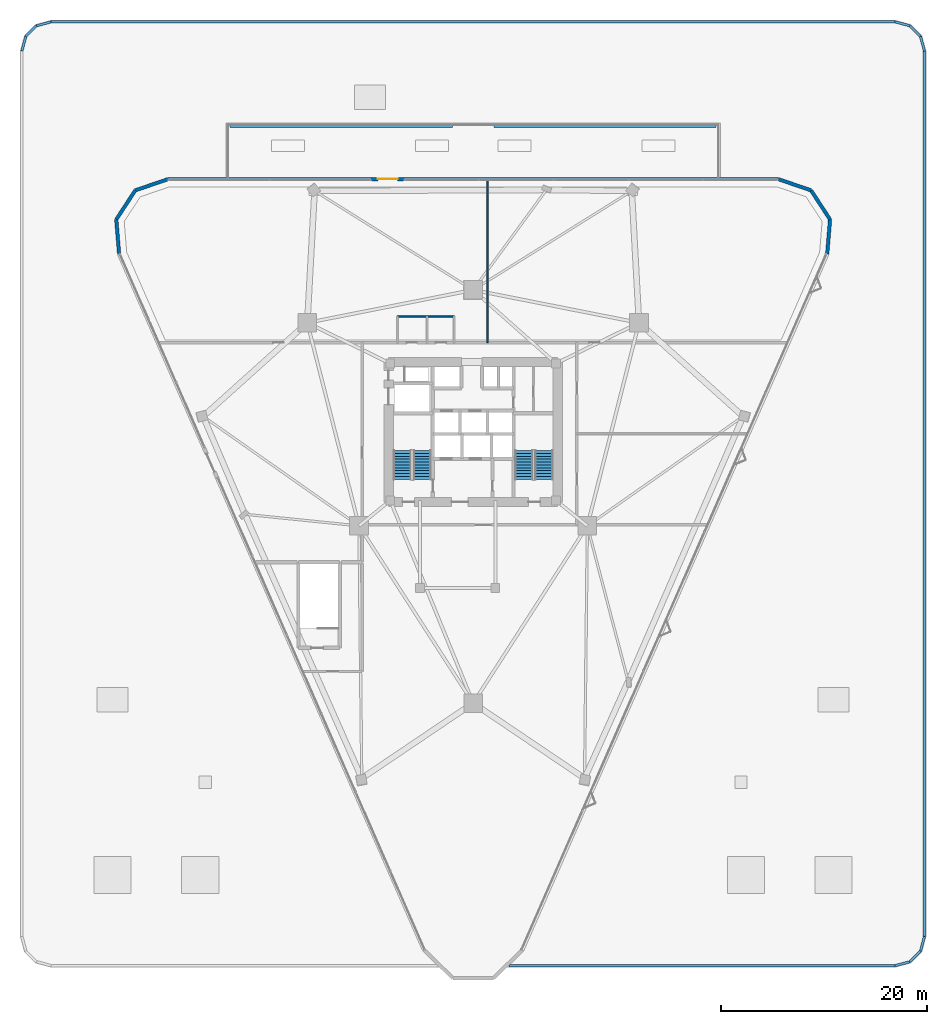
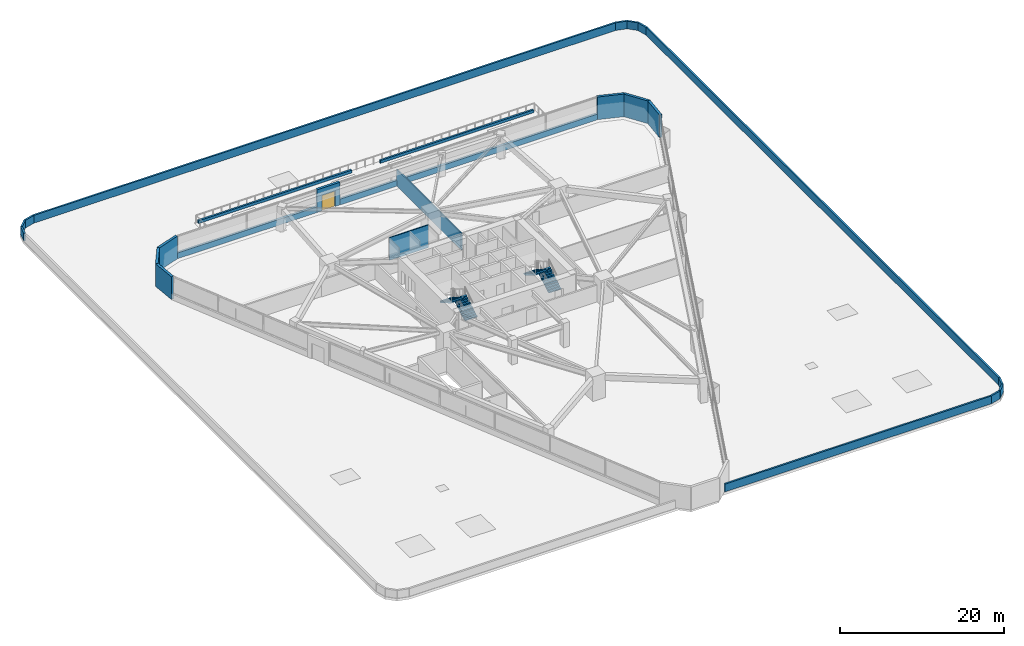
# One storey, part 19 of 21: 25 walls, 4 stair flights, 1 door, 1 opening, 2 elements without a shape of their own.
"""IFC4 building model written with IfcOpenShell, lengths in metres."""

from ifc_helpers import new_model, si_unit, direction, frame, frame_2d, origin, place, context, subcontext, project, spatial, polyline, rectangle, outline, extrude, material, layer, layer_set, type_object, element, fill, aggregate, save


model = new_model("IFC4")

# Units and contexts
model_context = context("Model", 3, precision=1e-05, world=origin(), true_north=direction((0.0, 1.0)))
body_context = subcontext(model_context, "Body", "Model", "MODEL_VIEW")
ifc_project = project(units=[si_unit("LENGTHUNIT", "METRE"), si_unit("AREAUNIT", "SQUARE_METRE"), si_unit("VOLUMEUNIT", "CUBIC_METRE"), si_unit("PLANEANGLEUNIT", "RADIAN"), si_unit("MASSUNIT", "GRAM", prefix="KILO")], contexts=[model_context])

# Site, building, storey
site_placement = place(None, origin())
site = spatial("IfcSite", under=ifc_project, at=site_placement, CompositionType="ELEMENT")
building_placement = place(site_placement, origin())
building = spatial("IfcBuilding", under=site, at=building_placement, Name="Talyreon Biosciences Tower", CompositionType="ELEMENT")
storey_placement = place(building_placement, frame((0.0, 0.0, 22.800048828125)))
storey = spatial("IfcBuildingStorey", under=building, at=storey_placement, Name="L05", CompositionType="ELEMENT", Elevation=22.800048828125)

# Walls
ifc_material_1 = material(Name="Precast concrete C45/55", Category="concrete")
ifc_layer_1 = layer(ifc_material_1, 0.239990234375)
ifc_layer_set_1 = layer_set([ifc_layer_1], Name="Precast concrete C45/55")
wall_type_1 = type_object("IfcWallType", Name="CrownParapet_240", PredefinedType="PARAPET", material=ifc_layer_set_1)
wall_1_placement = place(storey_placement, frame((22.179931640625, 104.976318359375, 0.0), z_axis=(0.0, 0.0, 1.0), x_axis=(0.258832224415, 0.965922294807, 0.0)))
element("IfcWall", 1, at=wall_1_placement, inside=storey, type_object=wall_type_1, Name="L05 Podium Skylight Roof Parapet 06", PredefinedType="PARAPET", context=body_context, shape_type="SweptSolid", body=[
    extrude(rectangle(XDim=1.48095703125, YDim=0.239990234375, at=frame_2d((0.740478515625, 0.0))), origin(), (0.0, 0.0, 1.0), 1.14990234375),
])
wall_2_placement = place(storey_placement, frame((22.563232421875, 106.40673828125, 0.0), z_axis=(0.0, 0.0, 1.0), x_axis=(0.707106781187, 0.707106781187, 0.0)))
element("IfcWall", 2, at=wall_2_placement, inside=storey, type_object=wall_type_1, Name="L05 Podium Skylight Roof Parapet 07", PredefinedType="PARAPET", context=body_context, shape_type="SweptSolid", body=[
    extrude(rectangle(XDim=1.456787109375, YDim=0.239990234375, at=frame_2d((0.728515625, 0.0))), origin(), (0.0, 0.0, 1.0), 1.14990234375),
])
wall_3_placement = place(storey_placement, frame((23.59326171875, 107.436767578125, 0.0), z_axis=(0.0, 0.0, 1.0), x_axis=(0.965922294807, 0.258832224415, 0.0)))
element("IfcWall", 3, at=wall_3_placement, inside=storey, type_object=wall_type_1, Name="L05 Podium Skylight Roof Parapet 08", PredefinedType="PARAPET", context=body_context, shape_type="SweptSolid", body=[
    extrude(rectangle(XDim=1.48095703125, YDim=0.239990234375, at=frame_2d((0.740478515625, 0.0))), origin(), (0.0, 0.0, 1.0), 1.14990234375),
])
wall_4_placement = place(storey_placement, frame((25.023681640625, 107.820068359375, 0.0), z_axis=(0.0, 0.0, 1.0), x_axis=(1.0, 0.0, 0.0)))
element("IfcWall", 4, at=wall_4_placement, inside=storey, type_object=wall_type_1, Name="L05 Podium Skylight Roof Parapet 09", PredefinedType="PARAPET", context=body_context, shape_type="SweptSolid", body=[
    extrude(rectangle(XDim=81.95263671875, YDim=0.239990234375, at=frame_2d((40.976318359375, 0.0))), origin(), (0.0, 0.0, 1.0), 1.14990234375),
])
wall_5_placement = place(storey_placement, frame((106.976318359375, 107.820068359375, 0.0), z_axis=(0.0, 0.0, 1.0), x_axis=(0.965922294807, -0.258832224415, 0.0)))
element("IfcWall", 5, at=wall_5_placement, inside=storey, type_object=wall_type_1, Name="L05 Podium Skylight Roof Parapet 10", PredefinedType="PARAPET", context=body_context, shape_type="SweptSolid", body=[
    extrude(rectangle(XDim=1.48095703125, YDim=0.239990234375, at=frame_2d((0.740478515625, 0.0))), origin(), (0.0, 0.0, 1.0), 1.14990234375),
])
wall_6_placement = place(storey_placement, frame((108.40673828125, 107.436767578125, 0.0), z_axis=(0.0, 0.0, 1.0), x_axis=(0.707106781187, -0.707106781187, 0.0)))
element("IfcWall", 6, at=wall_6_placement, inside=storey, type_object=wall_type_1, Name="L05 Podium Skylight Roof Parapet 11", PredefinedType="PARAPET", context=body_context, shape_type="SweptSolid", body=[
    extrude(rectangle(XDim=1.456787109375, YDim=0.239990234375, at=frame_2d((0.728515625, 0.0))), origin(), (0.0, 0.0, 1.0), 1.14990234375),
])
wall_7_placement = place(storey_placement, frame((109.436767578125, 106.40673828125, 0.0), z_axis=(0.0, 0.0, 1.0), x_axis=(0.258832224415, -0.965922294807, 0.0)))
element("IfcWall", 7, at=wall_7_placement, inside=storey, type_object=wall_type_1, Name="L05 Podium Skylight Roof Parapet 12", PredefinedType="PARAPET", context=body_context, shape_type="SweptSolid", body=[
    extrude(rectangle(XDim=1.48095703125, YDim=0.239990234375, at=frame_2d((0.740478515625, 0.0))), origin(), (0.0, 0.0, 1.0), 1.14990234375),
])
wall_8_placement = place(storey_placement, frame((109.820068359375, 104.976318359375, 0.0), z_axis=(0.0, 0.0, 1.0), x_axis=(0.0, -1.0, 0.0)))
element("IfcWall", 8, at=wall_8_placement, inside=storey, type_object=wall_type_1, Name="L05 Podium Skylight Roof Parapet 13", PredefinedType="PARAPET", context=body_context, shape_type="SweptSolid", body=[
    extrude(rectangle(XDim=85.95263671875, YDim=0.239990234375, at=frame_2d((42.976318359375, 0.0))), origin(), (0.0, 0.0, 1.0), 1.14990234375),
])
wall_9_placement = place(storey_placement, frame((109.820068359375, 19.023681640625, 0.0), z_axis=(0.0, 0.0, 1.0), x_axis=(-0.258832224415, -0.965922294807, 0.0)))
element("IfcWall", 9, at=wall_9_placement, inside=storey, type_object=wall_type_1, Name="L05 Podium Skylight Roof Parapet 14", PredefinedType="PARAPET", context=body_context, shape_type="SweptSolid", body=[
    extrude(rectangle(XDim=1.48095703125, YDim=0.239990234375, at=frame_2d((0.740478515625, 0.0))), origin(), (0.0, 0.0, 1.0), 1.14990234375),
])
wall_10_placement = place(storey_placement, frame((109.436767578125, 17.59326171875, 0.0), z_axis=(0.0, 0.0, 1.0), x_axis=(-0.707106781187, -0.707106781187, 0.0)))
element("IfcWall", 10, at=wall_10_placement, inside=storey, type_object=wall_type_1, Name="L05 Podium Skylight Roof Parapet 15", PredefinedType="PARAPET", context=body_context, shape_type="SweptSolid", body=[
    extrude(rectangle(XDim=1.456787109375, YDim=0.239990234375, at=frame_2d((0.728515625, 0.0))), origin(), (0.0, 0.0, 1.0), 1.14990234375),
])
wall_11_placement = place(storey_placement, frame((108.40673828125, 16.563232421875, 0.0), z_axis=(0.0, 0.0, 1.0), x_axis=(-0.965922294807, -0.258832224415, 0.0)))
element("IfcWall", 11, at=wall_11_placement, inside=storey, type_object=wall_type_1, Name="L05 Podium Skylight Roof Parapet 16", PredefinedType="PARAPET", context=body_context, shape_type="SweptSolid", body=[
    extrude(rectangle(XDim=1.48095703125, YDim=0.239990234375, at=frame_2d((0.740478515625, 0.0))), origin(), (0.0, 0.0, 1.0), 1.14990234375),
])
wall_12_placement = place(storey_placement, frame((106.976318359375, 16.179931640625, 0.0), z_axis=(0.0, 0.0, 1.0), x_axis=(-1.0, 0.0, 0.0)))
element("IfcWall", 12, at=wall_12_placement, inside=storey, type_object=wall_type_1, Name="L05 Podium Skylight Roof Parapet 17", PredefinedType="PARAPET", context=body_context, shape_type="SweptSolid", body=[
    extrude(rectangle(XDim=37.506103515625, YDim=0.239990234375, at=frame_2d((18.7529296875, 0.0))), origin(), (0.0, 0.0, 1.0), 1.14990234375),
])
ifc_material_2 = material(Name="Gypsum acoustic stud partition", Category="gypsum")
ifc_layer_2 = layer(ifc_material_2, 0.159912109375)
ifc_layer_set_2 = layer_set([ifc_layer_2], Name="Gypsum acoustic stud partition")
wall_type_2 = type_object("IfcWallType", Name="LabSeparationPartition_160", PredefinedType="PARTITIONING", material=ifc_layer_set_2)
wall_13_placement = place(storey_placement, frame((67.39990234375, 76.669921875, 0.0), z_axis=(0.0, 0.0, 1.0), x_axis=(0.0, 1.0, 0.0)))
element("IfcWall", 13, at=wall_13_placement, inside=storey, type_object=wall_type_2, Name="L05 Interior Wall IW-L05-NDIV1", PredefinedType="PARTITIONING", context=body_context, shape_type="SweptSolid", body=[
    extrude(rectangle(XDim=15.79931640625, YDim=0.159912109375, at=frame_2d((7.899658203125, 0.0))), origin(), (0.0, 0.0, 1.0), 2.5048828125),
])
ifc_layer_3 = layer(ifc_material_1, 0.340087890625)
ifc_layer_set_3 = layer_set([ifc_layer_3], Name="Precast concrete C45/55")
wall_type_3 = type_object("IfcWallType", Name="PrecastConcreteSpandrelWall_340", PredefinedType="STANDARD", material=ifc_layer_set_3)
for number, where, z_axis, x_axis, name in (
    (14, (31.62548828125, 85.267333984375, 0.0), (0.0, 0.0, 1.0), (-0.082219589929, 0.996614237823, 0.0), "L05 Rounded-Corner Concrete Pier 01"),
    (15, (31.347900390625, 88.632080078125, 0.0), (0.0, 0.0, 1.0), (0.547101286482, 0.837066414527, 0.0), "L05 Rounded-Corner Concrete Pier 02"),
    (16, (33.195068359375, 91.458251953125, 0.0), (0.0, 0.0, 1.0), (0.945847654718, 0.324610865599, 0.0), "L05 Rounded-Corner Concrete Pier 03"),
):
    element("IfcWall", number, at=place(storey_placement, frame(where, z_axis=z_axis, x_axis=x_axis)), inside=storey, type_object=wall_type_3, Name=name, PredefinedType="STANDARD", context=body_context, shape_type="SweptSolid", body=[
        extrude(rectangle(XDim=3.376220703125, YDim=0.340087890625, at=frame_2d((1.68798828125, 0.0))), origin(), (0.0, 0.0, 1.0), 3.375),
    ])

# Wall, opening, door
wall_14_placement = place(storey_placement, frame((56.1083984375, 92.55419921875, 0.0), z_axis=(0.0, 0.0, 1.0), x_axis=(1.0, 0.0, 0.0)))
wall_14 = element("IfcWall", 17, at=wall_14_placement, inside=storey, type_object=wall_type_3, Name="L05 Podium Terrace Concrete Door Pier", PredefinedType="STANDARD", context=body_context, shape_type="SweptSolid", body=[
    extrude(rectangle(XDim=3.2001953125, YDim=0.340087890625, at=frame_2d((1.60009765625, 0.0))), origin(), (0.0, 0.0, 1.0), 3.375),
])
opening_placement = place(wall_14_placement, frame((0.64990234375, 0.0, 0.0)))
opening = element("IfcOpeningElement", 18, at=opening_placement, cuts=wall_14, Name="Opening D04", PredefinedType="OPENING", context=body_context, shape_type="SweptSolid", body=[
    extrude(rectangle(XDim=1.89990234375, YDim=2.300048828125, at=frame_2d((0.949951171875, 1.14990234375))), frame((0.0, 0.179931640625, 0.0), z_axis=(0.0, -1.0, 0.0), x_axis=(1.0, 0.0, 0.0)), (0.0, 0.0, 1.0), 0.360107421875),
])
ifc_material_3 = material(Name="Thermally broken low-E glazed terrace door", Category="aluminium")
door_type = type_object("IfcDoorType", Name="SkyGardenTerraceDoubleDoor_1900x2300", OperationType="DOUBLE_DOOR_SINGLE_SWING", PredefinedType="DOOR", material=ifc_material_3)
door_placement = place(opening_placement, origin())
door = element("IfcDoor", 19, at=door_placement, inside=storey, type_object=door_type, Name="L05 Podium Roof Garden Access Door", OperationType="DOUBLE_DOOR_SINGLE_SWING", OverallHeight=2.300048828125, OverallWidth=1.89990234375, PredefinedType="DOOR", context=body_context, shape_type="SweptSolid", body=[
    extrude(rectangle(XDim=1.89990234375, YDim=2.300048828125, at=frame_2d((0.949951171875, 1.14990234375))), frame((0.0, 0.02490234375, 0.0), z_axis=(0.0, -1.0, 0.0), x_axis=(1.0, 0.0, 0.0)), (0.0, 0.0, 1.0), 0.050048828125),
])
fill(opening, door)

# Walls
wall_15_placement = place(storey_placement, frame((36.388427734375, 92.55419921875, 0.0), z_axis=(0.0, 0.0, 1.0), x_axis=(1.0, 0.0, 0.0)))
element("IfcWall", 20, at=wall_15_placement, inside=storey, type_object=wall_type_3, Name="L05 Concrete Sill Spandrel 04A", PredefinedType="STANDARD", context=body_context, shape_type="SweptSolid", body=[
    extrude(rectangle(XDim=19.719970703125, YDim=0.340087890625, at=frame_2d((9.85986328125, 0.0))), origin(), (0.0, 0.0, 1.0), 0.849853515625),
])
wall_16_placement = place(storey_placement, frame((59.30859375, 92.55419921875, 0.0), z_axis=(0.0, 0.0, 1.0), x_axis=(1.0, 0.0, 0.0)))
element("IfcWall", 21, at=wall_16_placement, inside=storey, type_object=wall_type_3, Name="L05 Concrete Sill Spandrel 04B", PredefinedType="STANDARD", context=body_context, shape_type="SweptSolid", body=[
    extrude(rectangle(XDim=36.302978515625, YDim=0.340087890625, at=frame_2d((18.1513671875, 0.0))), origin(), (0.0, 0.0, 1.0), 0.849853515625),
])
for number, where, z_axis, x_axis, name in (
    (22, (95.611572265625, 92.55419921875, 0.0), (0.0, 0.0, 1.0), (0.945847654718, -0.324610865599, 0.0), "L05 Rounded-Corner Concrete Pier 05"),
    (23, (98.804931640625, 91.458251953125, 0.0), (0.0, 0.0, 1.0), (0.547101286482, -0.837066414527, 0.0), "L05 Rounded-Corner Concrete Pier 06"),
    (24, (100.652099609375, 88.632080078125, 0.0), (0.0, 0.0, 1.0), (-0.082219589929, -0.996614237823, 0.0), "L05 Rounded-Corner Concrete Pier 07"),
):
    element("IfcWall", number, at=place(storey_placement, frame(where, z_axis=z_axis, x_axis=x_axis)), inside=storey, type_object=wall_type_3, Name=name, PredefinedType="STANDARD", context=body_context, shape_type="SweptSolid", body=[
        extrude(rectangle(XDim=3.376220703125, YDim=0.340087890625, at=frame_2d((1.68798828125, 0.0))), origin(), (0.0, 0.0, 1.0), 3.375),
    ])
ifc_layer_4 = layer(ifc_material_1, 0.260009765625)
ifc_layer_set_4 = layer_set([ifc_layer_4], Name="Precast concrete C45/55")
wall_type_4 = type_object("IfcWallType", Name="RoofTerraceParapet_260", PredefinedType="PARAPET", material=ifc_layer_set_4)
for number, where, z_axis, x_axis, name in (
    (25, (42.39990234375, 97.699951171875, 0.0), (0.0, 0.0, 1.0), (1.0, 0.0, 0.0), "L05 Podium Terrace Parapet 01"),
    (26, (68.0, 97.699951171875, 0.0), (0.0, 0.0, 1.0), (1.0, 0.0, 0.0), "L05 Podium Terrace Parapet 02"),
):
    element("IfcWall", number, at=place(storey_placement, frame(where, z_axis=z_axis, x_axis=x_axis)), inside=storey, type_object=wall_type_4, Name=name, PredefinedType="PARAPET", context=body_context, shape_type="SweptSolid", body=[
        extrude(rectangle(XDim=21.60009765625, YDim=0.260009765625, at=frame_2d((10.800048828125, 0.0))), origin(), (0.0, 0.0, 1.0), 0.419921875),
    ])
ifc_material_4 = material(Name="Moisture-resistant cement-board stud", Category="gypsum")
ifc_layer_5 = layer(ifc_material_4, 0.14501953125)
ifc_layer_set_5 = layer_set([ifc_layer_5], Name="Moisture-resistant cement-board stud")
wall_type_5 = type_object("IfcWallType", Name="WetRoomPartition_145", PredefinedType="PARTITIONING", material=ifc_layer_set_5)
wall_17_placement = place(storey_placement, frame((58.64990234375, 79.219970703125, 0.0), z_axis=(0.0, 0.0, 1.0), x_axis=(1.0, 0.0, 0.0)))
element("IfcWall", 27, at=wall_17_placement, inside=storey, type_object=wall_type_5, Name="L05 Interior Wall IW-L05-WCT", PredefinedType="PARTITIONING", context=body_context, shape_type="SweptSolid", body=[
    extrude(rectangle(XDim=5.5, YDim=0.14501953125, at=frame_2d((2.75, 0.0))), origin(), (0.0, 0.0, 1.0), 3.375),
])

# Stair, stair flights
ifc_material_5 = material(Name="Concrete C40/50", Category="concrete")
stair_type = type_object("IfcStairType", Name="DoglegEscapeStair_3650", PredefinedType="HALF_TURN_STAIR", material=ifc_material_5)
stair_1_placement = place(storey_placement, origin())
stair_1 = element("IfcStair", 28, at=stair_1_placement, inside=storey, type_object=stair_type, Name="L05 Core Escape Stair 1", PredefinedType="HALF_TURN_STAIR")
stair_flight_type = type_object("IfcStairFlightType", Name="PrecastStairFlight_3650", PredefinedType="STRAIGHT", material=ifc_material_5)
stair_flight_1_placement = place(storey_placement, frame((61.06005859375, 63.39990234375, 0.0), z_axis=(0.0, 0.0, 1.0), x_axis=(0.0, 1.0, 0.0)))
stair_flight_1 = element("IfcStairFlight", 29, at=stair_flight_1_placement, type_object=stair_flight_type, Name="ST-1 flight 1", NumberOfRisers=11, NumberOfTreads=10, PredefinedType="STRAIGHT", RiserHeight=0.165909091, TreadLength=0.28, context=body_context, shape_type="SweptSolid", body=[
    extrude(outline(polyline([(0.0, 0.0), (0.0, 0.166015625), (0.280029296875, 0.166015625), (0.280029296875, 0.331787109375), (0.56005859375, 0.331787109375), (0.56005859375, 0.497802734375), (0.840087890625, 0.497802734375), (0.840087890625, 0.66357421875), (1.1201171875, 0.66357421875), (1.1201171875, 0.82958984375), (1.39990234375, 0.82958984375), (1.39990234375, 0.995361328125), (1.679931640625, 0.995361328125), (1.679931640625, 1.161376953125), (1.9599609375, 1.161376953125), (1.9599609375, 1.327392578125), (2.239990234375, 1.327392578125), (2.239990234375, 1.4931640625), (2.52001953125, 1.4931640625), (2.52001953125, 1.6591796875), (2.800048828125, 1.6591796875), (2.800048828125, 1.824951171875), (2.800048828125, 1.48486328125), (0.2939453125, 0.0), (0.0, 0.0)])), frame((0.0, 0.8701171875, 0.0), z_axis=(0.0, -1.0, 0.0), x_axis=(1.0, 0.0, 0.0)), (0.0, 0.0, 1.0), 1.739990234375),
])
stair_flight_2_placement = place(storey_placement, frame((59.1201171875, 66.199951171875, 1.824951171875), z_axis=(0.0, 0.0, 1.0), x_axis=(0.0, -1.0, 0.0)))
stair_flight_2 = element("IfcStairFlight", 30, at=stair_flight_2_placement, type_object=stair_flight_type, Name="ST-1 flight 2", NumberOfRisers=11, NumberOfTreads=10, PredefinedType="STRAIGHT", RiserHeight=0.165909091, TreadLength=0.28, context=body_context, shape_type="SweptSolid", body=[
    extrude(outline(polyline([(0.0, 0.0), (0.0, 0.166015625), (0.280029296875, 0.166015625), (0.280029296875, 0.331787109375), (0.56005859375, 0.331787109375), (0.56005859375, 0.497802734375), (0.840087890625, 0.497802734375), (0.840087890625, 0.66357421875), (1.1201171875, 0.66357421875), (1.1201171875, 0.82958984375), (1.39990234375, 0.82958984375), (1.39990234375, 0.995361328125), (1.679931640625, 0.995361328125), (1.679931640625, 1.161376953125), (1.9599609375, 1.161376953125), (1.9599609375, 1.327392578125), (2.239990234375, 1.327392578125), (2.239990234375, 1.4931640625), (2.52001953125, 1.4931640625), (2.52001953125, 1.6591796875), (2.800048828125, 1.6591796875), (2.800048828125, 1.824951171875), (2.800048828125, 1.48486328125), (0.2939453125, 0.0), (0.0, 0.0)])), frame((0.0, 0.8701171875, 0.0), z_axis=(0.0, -1.0, 0.0), x_axis=(1.0, 0.0, 0.0)), (0.0, 0.0, 1.0), 1.739990234375),
])
aggregate(stair_1, [stair_flight_1, stair_flight_2])

stair_2_placement = place(storey_placement, origin())
stair_2 = element("IfcStair", 31, at=stair_2_placement, inside=storey, type_object=stair_type, Name="L05 Core Escape Stair 2", PredefinedType="HALF_TURN_STAIR")
stair_flight_3_placement = place(storey_placement, frame((72.8798828125, 63.39990234375, 0.0), z_axis=(0.0, 0.0, 1.0), x_axis=(0.0, 1.0, 0.0)))
stair_flight_3 = element("IfcStairFlight", 32, at=stair_flight_3_placement, type_object=stair_flight_type, Name="ST-2 flight 1", NumberOfRisers=11, NumberOfTreads=10, PredefinedType="STRAIGHT", RiserHeight=0.165909091, TreadLength=0.28, context=body_context, shape_type="SweptSolid", body=[
    extrude(outline(polyline([(0.0, 0.0), (0.0, 0.166015625), (0.280029296875, 0.166015625), (0.280029296875, 0.331787109375), (0.56005859375, 0.331787109375), (0.56005859375, 0.497802734375), (0.840087890625, 0.497802734375), (0.840087890625, 0.66357421875), (1.1201171875, 0.66357421875), (1.1201171875, 0.82958984375), (1.39990234375, 0.82958984375), (1.39990234375, 0.995361328125), (1.679931640625, 0.995361328125), (1.679931640625, 1.161376953125), (1.9599609375, 1.161376953125), (1.9599609375, 1.327392578125), (2.239990234375, 1.327392578125), (2.239990234375, 1.4931640625), (2.52001953125, 1.4931640625), (2.52001953125, 1.6591796875), (2.800048828125, 1.6591796875), (2.800048828125, 1.824951171875), (2.800048828125, 1.48486328125), (0.2939453125, 0.0), (0.0, 0.0)])), frame((0.0, 0.8701171875, 0.0), z_axis=(0.0, -1.0, 0.0), x_axis=(1.0, 0.0, 0.0)), (0.0, 0.0, 1.0), 1.739990234375),
])
stair_flight_4_placement = place(storey_placement, frame((70.93994140625, 66.199951171875, 1.824951171875), z_axis=(0.0, 0.0, 1.0), x_axis=(0.0, -1.0, 0.0)))
stair_flight_4 = element("IfcStairFlight", 33, at=stair_flight_4_placement, type_object=stair_flight_type, Name="ST-2 flight 2", NumberOfRisers=11, NumberOfTreads=10, PredefinedType="STRAIGHT", RiserHeight=0.165909091, TreadLength=0.28, context=body_context, shape_type="SweptSolid", body=[
    extrude(outline(polyline([(0.0, 0.0), (0.0, 0.166015625), (0.280029296875, 0.166015625), (0.280029296875, 0.331787109375), (0.56005859375, 0.331787109375), (0.56005859375, 0.497802734375), (0.840087890625, 0.497802734375), (0.840087890625, 0.66357421875), (1.1201171875, 0.66357421875), (1.1201171875, 0.82958984375), (1.39990234375, 0.82958984375), (1.39990234375, 0.995361328125), (1.679931640625, 0.995361328125), (1.679931640625, 1.161376953125), (1.9599609375, 1.161376953125), (1.9599609375, 1.327392578125), (2.239990234375, 1.327392578125), (2.239990234375, 1.4931640625), (2.52001953125, 1.4931640625), (2.52001953125, 1.6591796875), (2.800048828125, 1.6591796875), (2.800048828125, 1.824951171875), (2.800048828125, 1.48486328125), (0.2939453125, 0.0), (0.0, 0.0)])), frame((0.0, 0.8701171875, 0.0), z_axis=(0.0, -1.0, 0.0), x_axis=(1.0, 0.0, 0.0)), (0.0, 0.0, 1.0), 1.739990234375),
])
aggregate(stair_2, [stair_flight_3, stair_flight_4])

save(model, "model.ifc")
